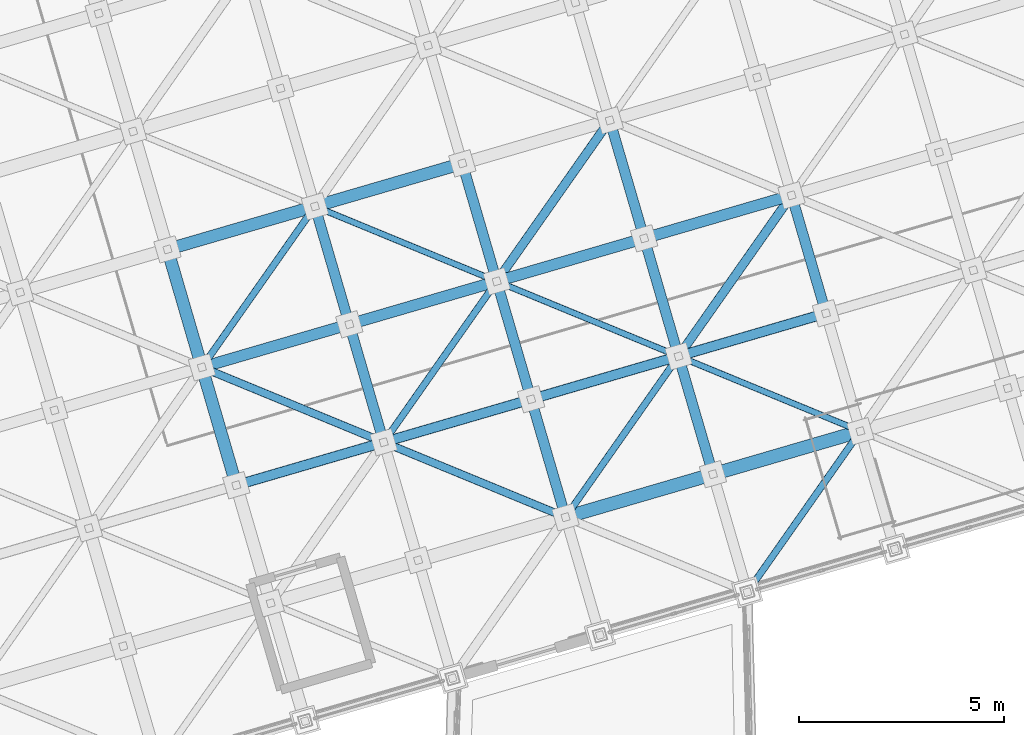
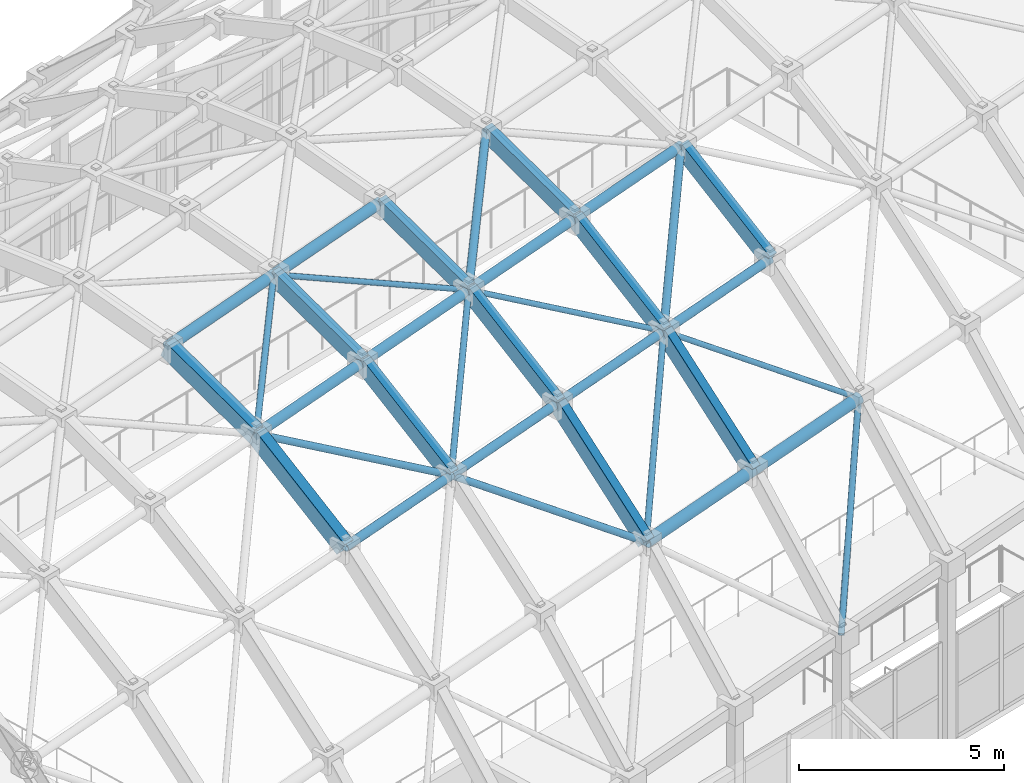
# One storey, part 46 of 248: 23 members, 11 beams.
"""IFC4 building model written with IfcOpenShell, lengths in metres."""

from ifc_helpers import new_model, si_unit, direction, frame, origin, origin_2d, place, context, subcontext, project, spatial, hollow_rectangle, hollow_circle, extrude, material, material_profile, profile_set, type_object, element, save


model = new_model("IFC4")

# Units and contexts
model_context = context("Model", 3, precision=1e-05, world=origin(), true_north=direction((0.0, 1.0)))
body_context = subcontext(model_context, "Body", "Model", "MODEL_VIEW")
ifc_project = project(units=[si_unit("LENGTHUNIT", "METRE"), si_unit("AREAUNIT", "SQUARE_METRE"), si_unit("VOLUMEUNIT", "CUBIC_METRE"), si_unit("PLANEANGLEUNIT", "RADIAN"), si_unit("MASSUNIT", "GRAM", prefix="KILO")], contexts=[model_context])

# Site, building, storey
site_placement = place(None, origin())
site = spatial("IfcSite", under=ifc_project, at=site_placement, CompositionType="ELEMENT")
building_placement = place(site_placement, origin())
building = spatial("IfcBuilding", under=site, at=building_placement, Name="Canggui Botanical Conservatory", CompositionType="ELEMENT")
storey_placement = place(building_placement, frame((0.0, 0.0, 5.39990234375)))
storey = spatial("IfcBuildingStorey", under=building, at=storey_placement, Name="L02", CompositionType="ELEMENT", Elevation=5.39990234375)

# Beams
ifc_material = material(Name="Steel Q355C", Category="steel")
ifc_material_profile_1 = material_profile(ifc_material, hollow_rectangle(XDim=0.300048828125, YDim=0.5, WallThickness=0.01611328125, at=origin_2d()), Name="RHS 300x500x16")
ifc_profile_set_1 = profile_set([ifc_material_profile_1], Name="Steel Q355C")
beam_type_1 = type_object("IfcBeamType", Name="BM-GJ01", PredefinedType="BEAM", material=ifc_profile_set_1)
beam_1_placement = place(storey_placement, frame((29.1201171875, 50.909912109375, 10.494140625), z_axis=(-0.23585528661, 0.808597737907, 0.539019463499), x_axis=(-0.959995442804, -0.2800156242, 0.0)))
element("IfcBeam", 1, at=beam_1_placement, inside=storey, type_object=beam_type_1, Name="Conservatory Stepped-Arch Rib GJ-04 Segment 3", PredefinedType="BEAM", context=body_context, shape_type="SweptSolid", body=[
    extrude(hollow_rectangle(XDim=0.300048828125, YDim=0.5, WallThickness=0.01611328125, at=origin_2d()), origin(), (0.0, 0.0, 1.0), 3.561767578125),
])
beam_2_placement = place(storey_placement, frame((28.280029296875, 53.7900390625, 12.4140625), z_axis=(-0.261421746348, 0.896172891578, 0.358514740196), x_axis=(-0.959989061447, -0.280037500885, 0.0)))
element("IfcBeam", 2, at=beam_2_placement, inside=storey, type_object=beam_type_1, Name="Conservatory Stepped-Arch Rib GJ-04 Segment 4", PredefinedType="BEAM", context=body_context, shape_type="SweptSolid", body=[
    extrude(hollow_rectangle(XDim=0.300048828125, YDim=0.5, WallThickness=0.01611328125, at=origin_2d()), origin(), (0.0, 0.0, 1.0), 3.213623046875),
])
ifc_material_profile_2 = material_profile(ifc_material, hollow_rectangle(XDim=0.25, YDim=0.449951171875, WallThickness=0.013916015625, at=origin_2d()), Name="RHS 250x450x14")
ifc_profile_set_2 = profile_set([ifc_material_profile_2], Name="Steel Q355C")
beam_type_2 = type_object("IfcBeamType", Name="BM-GJ02", PredefinedType="BEAM", material=ifc_profile_set_2)
beam_3_placement = place(storey_placement, frame((32.719970703125, 51.9599609375, 10.744140625), z_axis=(-0.23585528661, 0.808597737907, 0.539019463499), x_axis=(-0.959995442804, -0.2800156242, 0.0)))
element("IfcBeam", 3, at=beam_3_placement, inside=storey, type_object=beam_type_2, Name="Conservatory Stepped-Arch Rib GJ-05 Segment 3", PredefinedType="BEAM", context=body_context, shape_type="SweptSolid", body=[
    extrude(hollow_rectangle(XDim=0.25, YDim=0.449951171875, WallThickness=0.013916015625, at=origin_2d()), origin(), (0.0, 0.0, 1.0), 3.561767578125),
])
beam_4_placement = place(storey_placement, frame((31.8798828125, 54.840087890625, 12.6640625), z_axis=(-0.2613509637, 0.896190688314, 0.358521859796), x_axis=(-0.960010937337, -0.279962497833, 0.0)))
element("IfcBeam", 4, at=beam_4_placement, inside=storey, type_object=beam_type_2, Name="Conservatory Stepped-Arch Rib GJ-05 Segment 4", PredefinedType="BEAM", context=body_context, shape_type="SweptSolid", body=[
    extrude(hollow_rectangle(XDim=0.25, YDim=0.449951171875, WallThickness=0.013916015625, at=origin_2d()), origin(), (0.0, 0.0, 1.0), 3.21337890625),
])
beam_5_placement = place(storey_placement, frame((37.159912109375, 50.1298828125, 8.30615234375), z_axis=(-0.208495222194, 0.715005272157, 0.667305929173), x_axis=(-0.960017315421, -0.279940626011, 0.0)))
element("IfcBeam", 5, at=beam_5_placement, inside=storey, type_object=beam_type_2, Name="Conservatory Stepped-Arch Rib GJ-06 Segment 2", PredefinedType="BEAM", context=body_context, shape_type="SweptSolid", body=[
    extrude(hollow_rectangle(XDim=0.25, YDim=0.449951171875, WallThickness=0.013916015625, at=origin_2d()), origin(), (0.0, 0.0, 1.0), 4.028076171875),
])
beam_6_placement = place(storey_placement, frame((36.320068359375, 53.010009765625, 10.994140625), z_axis=(-0.235868359053, 0.808574008543, 0.539049339028), x_axis=(-0.959989061447, -0.280037500885, 0.0)))
element("IfcBeam", 6, at=beam_6_placement, inside=storey, type_object=beam_type_2, Name="Conservatory Stepped-Arch Rib GJ-06 Segment 3", PredefinedType="BEAM", context=body_context, shape_type="SweptSolid", body=[
    extrude(hollow_rectangle(XDim=0.25, YDim=0.449951171875, WallThickness=0.013916015625, at=origin_2d()), origin(), (0.0, 0.0, 1.0), 3.561767578125),
])
beam_7_placement = place(storey_placement, frame((35.47998046875, 55.889892578125, 12.9140625), z_axis=(-0.261403948618, 0.896187847093, 0.358490332324), x_axis=(-0.959995442804, -0.2800156242, 0.0)))
element("IfcBeam", 7, at=beam_7_placement, inside=storey, type_object=beam_type_2, Name="Conservatory Stepped-Arch Rib GJ-06 Segment 4", PredefinedType="BEAM", context=body_context, shape_type="SweptSolid", body=[
    extrude(hollow_rectangle(XDim=0.25, YDim=0.449951171875, WallThickness=0.013916015625, at=origin_2d()), origin(), (0.0, 0.0, 1.0), 3.2138671875),
])
beam_8_placement = place(storey_placement, frame((40.760009765625, 51.179931640625, 8.55615234375), z_axis=(-0.208553195479, 0.714996235706, 0.66729749556), x_axis=(-0.959995442804, -0.2800156242, 0.0)))
element("IfcBeam", 8, at=beam_8_placement, inside=storey, type_object=beam_type_2, Name="Conservatory Stepped-Arch Rib GJ-07 Segment 2", PredefinedType="BEAM", context=body_context, shape_type="SweptSolid", body=[
    extrude(hollow_rectangle(XDim=0.25, YDim=0.449951171875, WallThickness=0.013916015625, at=origin_2d()), origin(), (0.0, 0.0, 1.0), 4.028076171875),
])
beam_9_placement = place(storey_placement, frame((39.919921875, 54.06005859375, 11.244140625), z_axis=(-0.235803624532, 0.808587079936, 0.539058053291), x_axis=(-0.960010937337, -0.279962497833, 0.0)))
element("IfcBeam", 9, at=beam_9_placement, inside=storey, type_object=beam_type_2, Name="Conservatory Stepped-Arch Rib GJ-07 Segment 3", PredefinedType="BEAM", context=body_context, shape_type="SweptSolid", body=[
    extrude(hollow_rectangle(XDim=0.25, YDim=0.449951171875, WallThickness=0.013916015625, at=origin_2d()), origin(), (0.0, 0.0, 1.0), 3.5615234375),
])
beam_10_placement = place(storey_placement, frame((39.080078125, 56.93994140625, 13.1640625), z_axis=(-0.261403948618, 0.896187847093, 0.358490332324), x_axis=(-0.959995442804, -0.2800156242, 0.0)))
element("IfcBeam", 10, at=beam_10_placement, inside=storey, type_object=beam_type_2, Name="Conservatory Stepped-Arch Rib GJ-07 Segment 4", PredefinedType="BEAM", context=body_context, shape_type="SweptSolid", body=[
    extrude(hollow_rectangle(XDim=0.25, YDim=0.449951171875, WallThickness=0.013916015625, at=origin_2d()), origin(), (0.0, 0.0, 1.0), 3.2138671875),
])
beam_11_placement = place(storey_placement, frame((43.52001953125, 55.110107421875, 11.494140625), z_axis=(-0.235868359053, 0.808574008543, 0.539049339028), x_axis=(-0.959989061447, -0.280037500885, 0.0)))
element("IfcBeam", 11, at=beam_11_placement, inside=storey, type_object=beam_type_2, Name="Conservatory Stepped-Arch Rib GJ-08 Segment 3", PredefinedType="BEAM", context=body_context, shape_type="SweptSolid", body=[
    extrude(hollow_rectangle(XDim=0.25, YDim=0.449951171875, WallThickness=0.013916015625, at=origin_2d()), origin(), (0.0, 0.0, 1.0), 3.561767578125),
])

# Members
ifc_material_profile_3 = material_profile(ifc_material, hollow_circle(Radius=0.16259765625, WallThickness=0.011962890625, at=origin_2d()), Name="CHS 325x12")
ifc_profile_set_3 = profile_set([ifc_material_profile_3], Name="Steel Q355C")
member_type_1 = type_object("IfcMemberType", Name="MEM-GSC01", PredefinedType="CHORD", material=ifc_profile_set_3)
for number, where, z_axis, x_axis, name in (
    (12, (37.159912109375, 50.1298828125, 8.30615234375), (0.957872417874, 0.27938486839, 0.066517113516), (-0.280004999853, 0.959998541695, 0.0), "Conservatory Gridshell Longitudinal Chord 6-1"),
    (13, (40.760009765625, 51.179931640625, 8.55615234375), (0.957872417874, 0.27938486839, 0.066517113516), (-0.280004999853, 0.959998541695, 0.0), "Conservatory Gridshell Longitudinal Chord 7-1"),
):
    element("IfcMember", number, at=place(storey_placement, frame(where, z_axis=z_axis, x_axis=x_axis)), inside=storey, type_object=member_type_1, Name=name, PredefinedType="CHORD", context=body_context, shape_type="SweptSolid", body=[
        extrude(hollow_circle(Radius=0.16259765625, WallThickness=0.011962890625, at=origin_2d()), origin(), (0.0, 0.0, 1.0), 3.758544921875),
    ])
ifc_material_profile_4 = material_profile(ifc_material, hollow_circle(Radius=0.1494140625, WallThickness=0.011962890625, at=origin_2d()), Name="CHS 299x12")
ifc_profile_set_4 = profile_set([ifc_material_profile_4], Name="Steel Q355C")
member_type_2 = type_object("IfcMemberType", Name="MEM-GSC02", PredefinedType="CHORD", material=ifc_profile_set_4)
member_1_placement = place(storey_placement, frame((27.43994140625, 56.669921875, 13.566162109375), z_axis=(0.957872417874, 0.27938486839, 0.066517113516), x_axis=(-0.280004999853, 0.959998541695, 0.0)))
element("IfcMember", 14, at=member_1_placement, inside=storey, type_object=member_type_2, Name="Conservatory Gridshell Longitudinal Chord 4-4", PredefinedType="CHORD", context=body_context, shape_type="SweptSolid", body=[
    extrude(hollow_circle(Radius=0.1494140625, WallThickness=0.011962890625, at=origin_2d()), origin(), (0.0, 0.0, 1.0), 3.758544921875),
])
member_2_placement = place(storey_placement, frame((31.0400390625, 57.719970703125, 13.816162109375), z_axis=(0.957867059601, 0.279402253194, 0.066521252562), x_axis=(-0.280022500685, 0.959993437014, 0.0)))
element("IfcMember", 15, at=member_2_placement, inside=storey, type_object=member_type_2, Name="Conservatory Gridshell Longitudinal Chord 5-4", PredefinedType="CHORD", context=body_context, shape_type="SweptSolid", body=[
    extrude(hollow_circle(Radius=0.1494140625, WallThickness=0.011962890625, at=origin_2d()), origin(), (0.0, 0.0, 1.0), 3.75830078125),
])
ifc_material_profile_5 = material_profile(ifc_material, hollow_circle(Radius=0.136474609375, WallThickness=0.010009765625, at=origin_2d()), Name="CHS 273x10")
ifc_profile_set_5 = profile_set([ifc_material_profile_5], Name="Steel Q355C")
member_type_3 = type_object("IfcMemberType", Name="MEM-GSC03", PredefinedType="CHORD", material=ifc_profile_set_5)
for number, where, z_axis, x_axis, name in (
    (16, (28.280029296875, 53.7900390625, 12.4140625), (0.957867059601, 0.279402253194, 0.066521252562), (-0.280022500685, 0.959993437014, 0.0), "Conservatory Gridshell Longitudinal Chord 4-3"),
    (17, (31.8798828125, 54.840087890625, 12.6640625), (0.957889800097, 0.279324979006, 0.066518320582), (-0.279945000113, 0.960016039924, 0.0), "Conservatory Gridshell Longitudinal Chord 5-3"),
):
    element("IfcMember", number, at=place(storey_placement, frame(where, z_axis=z_axis, x_axis=x_axis)), inside=storey, type_object=member_type_3, Name=name, PredefinedType="CHORD", context=body_context, shape_type="SweptSolid", body=[
        extrude(hollow_circle(Radius=0.136474609375, WallThickness=0.010009765625, at=origin_2d()), origin(), (0.0, 0.0, 1.0), 3.75830078125),
    ])
member_3_placement = place(storey_placement, frame((35.47998046875, 55.889892578125, 12.9140625), z_axis=(0.957872417874, 0.27938486839, 0.066517113516), x_axis=(-0.280004999853, 0.959998541695, 0.0)))
element("IfcMember", 18, at=member_3_placement, inside=storey, type_object=member_type_3, Name="Conservatory Gridshell Longitudinal Chord 6-3", PredefinedType="CHORD", context=body_context, shape_type="SweptSolid", body=[
    extrude(hollow_circle(Radius=0.136474609375, WallThickness=0.010009765625, at=origin_2d()), origin(), (0.0, 0.0, 1.0), 3.758544921875),
])
member_4_placement = place(storey_placement, frame((39.080078125, 56.93994140625, 13.1640625), z_axis=(0.957867059601, 0.279402253194, 0.066521252562), x_axis=(-0.280022500685, 0.959993437014, 0.0)))
element("IfcMember", 19, at=member_4_placement, inside=storey, type_object=member_type_3, Name="Conservatory Gridshell Longitudinal Chord 7-3", PredefinedType="CHORD", context=body_context, shape_type="SweptSolid", body=[
    extrude(hollow_circle(Radius=0.136474609375, WallThickness=0.010009765625, at=origin_2d()), origin(), (0.0, 0.0, 1.0), 3.75830078125),
])
ifc_material_profile_6 = material_profile(ifc_material, hollow_circle(Radius=0.12255859375, WallThickness=0.010009765625, at=origin_2d()), Name="CHS 245x10")
ifc_profile_set_6 = profile_set([ifc_material_profile_6], Name="Steel Q355C")
member_type_4 = type_object("IfcMemberType", Name="MEM-GSC04", PredefinedType="CHORD", material=ifc_profile_set_6)
member_5_placement = place(storey_placement, frame((29.1201171875, 50.909912109375, 10.494140625), z_axis=(0.957867059601, 0.279402253194, 0.066521252562), x_axis=(-0.280022500685, 0.959993437014, 0.0)))
element("IfcMember", 20, at=member_5_placement, inside=storey, type_object=member_type_4, Name="Conservatory Gridshell Longitudinal Chord 4-2", PredefinedType="CHORD", context=body_context, shape_type="SweptSolid", body=[
    extrude(hollow_circle(Radius=0.12255859375, WallThickness=0.010009765625, at=origin_2d()), origin(), (0.0, 0.0, 1.0), 3.75830078125),
])
member_6_placement = place(storey_placement, frame((32.719970703125, 51.9599609375, 10.744140625), z_axis=(0.957872417874, 0.27938486839, 0.066517113516), x_axis=(-0.280004999853, 0.959998541695, 0.0)))
element("IfcMember", 21, at=member_6_placement, inside=storey, type_object=member_type_4, Name="Conservatory Gridshell Longitudinal Chord 5-2", PredefinedType="CHORD", context=body_context, shape_type="SweptSolid", body=[
    extrude(hollow_circle(Radius=0.12255859375, WallThickness=0.010009765625, at=origin_2d()), origin(), (0.0, 0.0, 1.0), 3.758544921875),
])
member_7_placement = place(storey_placement, frame((36.320068359375, 53.010009765625, 10.994140625), z_axis=(0.957867059601, 0.279402253194, 0.066521252562), x_axis=(-0.280022500685, 0.959993437014, 0.0)))
element("IfcMember", 22, at=member_7_placement, inside=storey, type_object=member_type_4, Name="Conservatory Gridshell Longitudinal Chord 6-2", PredefinedType="CHORD", context=body_context, shape_type="SweptSolid", body=[
    extrude(hollow_circle(Radius=0.12255859375, WallThickness=0.010009765625, at=origin_2d()), origin(), (0.0, 0.0, 1.0), 3.75830078125),
])
member_8_placement = place(storey_placement, frame((39.919921875, 54.06005859375, 11.244140625), z_axis=(0.957872417874, 0.27938486839, 0.066517113516), x_axis=(-0.280004999853, 0.959998541695, 0.0)))
element("IfcMember", 23, at=member_8_placement, inside=storey, type_object=member_type_4, Name="Conservatory Gridshell Longitudinal Chord 7-2", PredefinedType="CHORD", context=body_context, shape_type="SweptSolid", body=[
    extrude(hollow_circle(Radius=0.12255859375, WallThickness=0.010009765625, at=origin_2d()), origin(), (0.0, 0.0, 1.0), 3.758544921875),
])
ifc_material_profile_7 = material_profile(ifc_material, hollow_circle(Radius=0.109619140625, WallThickness=0.008056640625, at=origin_2d()), Name="CHS 219x8")
ifc_profile_set_7 = profile_set([ifc_material_profile_7], Name="Steel Q355C")
member_type_5 = type_object("IfcMemberType", Name="MEM-GSD01", PredefinedType="RAFTER", material=ifc_profile_set_7)
member_9_placement = place(storey_placement, frame((35.47998046875, 55.889892578125, 12.9140625), z_axis=(0.551673045588, 0.785566801227, 0.2802528351), x_axis=(-0.818361645525, 0.574703590674, 0.0)))
element("IfcMember", 24, at=member_9_placement, inside=storey, type_object=member_type_5, Name="Conservatory Gridshell Diagrid Rafter 6-4", PredefinedType="RAFTER", context=body_context, shape_type="SweptSolid", body=[
    extrude(hollow_circle(Radius=0.109619140625, WallThickness=0.008056640625, at=origin_2d()), origin(), (0.0, 0.0, 1.0), 5.0029296875),
])
member_10_placement = place(storey_placement, frame((39.919921875, 54.06005859375, 11.244140625), z_axis=(0.52374291705, 0.74574876035, 0.411767098341), x_axis=(-0.818344854073, 0.574727500484, 0.0)))
element("IfcMember", 25, at=member_10_placement, inside=storey, type_object=member_type_5, Name="Conservatory Gridshell Diagrid Rafter 7-3", PredefinedType="RAFTER", context=body_context, shape_type="SweptSolid", body=[
    extrude(hollow_circle(Radius=0.109619140625, WallThickness=0.008056640625, at=origin_2d()), origin(), (0.0, 0.0, 1.0), 5.269775390625),
])
ifc_material_profile_8 = material_profile(ifc_material, hollow_circle(Radius=0.096923828125, WallThickness=0.008056640625, at=origin_2d()), Name="CHS 194x8")
ifc_profile_set_8 = profile_set([ifc_material_profile_8], Name="Steel Q355C")
member_type_6 = type_object("IfcMemberType", Name="MEM-GSD02", PredefinedType="RAFTER", material=ifc_profile_set_8)
member_11_placement = place(storey_placement, frame((28.280029296875, 53.7900390625, 12.4140625), z_axis=(0.873251550542, -0.359941362744, -0.328441691725), x_axis=(0.381082183428, 0.924541166998, 0.0)))
element("IfcMember", 26, at=member_11_placement, inside=storey, type_object=member_type_6, Name="Conservatory Gridshell Diagrid Rafter 4-3", PredefinedType="RAFTER", context=body_context, shape_type="SweptSolid", body=[
    extrude(hollow_circle(Radius=0.096923828125, WallThickness=0.008056640625, at=origin_2d()), origin(), (0.0, 0.0, 1.0), 5.08447265625),
])
member_12_placement = place(storey_placement, frame((32.719970703125, 51.9599609375, 10.744140625), z_axis=(0.824390397512, -0.339801518737, -0.452675822586), x_axis=(0.381082183428, 0.924541166998, 0.0)))
element("IfcMember", 27, at=member_12_placement, inside=storey, type_object=member_type_6, Name="Conservatory Gridshell Diagrid Rafter 5-2", PredefinedType="RAFTER", context=body_context, shape_type="SweptSolid", body=[
    extrude(hollow_circle(Radius=0.096923828125, WallThickness=0.008056640625, at=origin_2d()), origin(), (0.0, 0.0, 1.0), 5.3857421875),
])
ifc_material_profile_9 = material_profile(ifc_material, hollow_circle(Radius=0.083984375, WallThickness=0.008056640625, at=origin_2d()), Name="CHS 168x8")
ifc_profile_set_9 = profile_set([ifc_material_profile_9], Name="Steel Q355C")
member_type_7 = type_object("IfcMemberType", Name="MEM-GSD03", PredefinedType="RAFTER", material=ifc_profile_set_9)
member_13_placement = place(storey_placement, frame((28.280029296875, 53.7900390625, 12.4140625), z_axis=(0.551694194477, 0.785548115745, 0.280263578849), x_axis=(-0.818344854073, 0.574727500484, 0.0)))
element("IfcMember", 28, at=member_13_placement, inside=storey, type_object=member_type_7, Name="Conservatory Gridshell Diagrid Rafter 4-4", PredefinedType="RAFTER", context=body_context, shape_type="SweptSolid", body=[
    extrude(hollow_circle(Radius=0.083984375, WallThickness=0.008056640625, at=origin_2d()), origin(), (0.0, 0.0, 1.0), 5.002685546875),
])
member_14_placement = place(storey_placement, frame((32.719970703125, 51.9599609375, 10.744140625), z_axis=(0.52374291705, 0.74574876035, 0.411767098341), x_axis=(-0.818344854073, 0.574727500484, 0.0)))
element("IfcMember", 29, at=member_14_placement, inside=storey, type_object=member_type_7, Name="Conservatory Gridshell Diagrid Rafter 5-3", PredefinedType="RAFTER", context=body_context, shape_type="SweptSolid", body=[
    extrude(hollow_circle(Radius=0.083984375, WallThickness=0.008056640625, at=origin_2d()), origin(), (0.0, 0.0, 1.0), 5.269775390625),
])
member_15_placement = place(storey_placement, frame((37.159912109375, 50.1298828125, 8.30615234375), z_axis=(0.49024183756, 0.69809049987, 0.521854955612), x_axis=(-0.818361645525, 0.574703590674, 0.0)))
element("IfcMember", 30, at=member_15_placement, inside=storey, type_object=member_type_7, Name="Conservatory Gridshell Diagrid Rafter 6-2", PredefinedType="RAFTER", context=body_context, shape_type="SweptSolid", body=[
    extrude(hollow_circle(Radius=0.083984375, WallThickness=0.008056640625, at=origin_2d()), origin(), (0.0, 0.0, 1.0), 5.6298828125),
])
member_16_placement = place(storey_placement, frame((41.60009765625, 48.300048828125, 5.10009765625), z_axis=(0.454993560937, 0.647857704592, 0.61095110615), x_axis=(-0.818344854073, 0.574727500484, 0.0)))
element("IfcMember", 31, at=member_16_placement, inside=storey, type_object=member_type_7, Name="Conservatory Gridshell Diagrid Rafter 7-1", PredefinedType="RAFTER", context=body_context, shape_type="SweptSolid", body=[
    extrude(hollow_circle(Radius=0.083984375, WallThickness=0.008056640625, at=origin_2d()), origin(), (0.0, 0.0, 1.0), 6.066162109375),
])
ifc_material_profile_10 = material_profile(ifc_material, hollow_circle(Radius=0.075927734375, WallThickness=0.006103515625, at=origin_2d()), Name="CHS 152x6")
ifc_profile_set_10 = profile_set([ifc_material_profile_10], Name="Steel Q355C")
member_type_8 = type_object("IfcMemberType", Name="MEM-GSD04", PredefinedType="RAFTER", material=ifc_profile_set_10)
member_17_placement = place(storey_placement, frame((31.0400390625, 57.719970703125, 13.816162109375), z_axis=(0.90864869029, -0.374531539779, -0.184617668021), x_axis=(0.381082183428, 0.924541166998, 0.0)))
element("IfcMember", 32, at=member_17_placement, inside=storey, type_object=member_type_8, Name="Conservatory Gridshell Diagrid Rafter 5-4", PredefinedType="RAFTER", context=body_context, shape_type="SweptSolid", body=[
    extrude(hollow_circle(Radius=0.075927734375, WallThickness=0.006103515625, at=origin_2d()), origin(), (0.0, 0.0, 1.0), 4.88623046875),
])
member_18_placement = place(storey_placement, frame((35.47998046875, 55.889892578125, 12.9140625), z_axis=(0.873266642847, -0.359899564948, -0.328447368144), x_axis=(0.381038726983, 0.924559077907, 0.0)))
element("IfcMember", 33, at=member_18_placement, inside=storey, type_object=member_type_8, Name="Conservatory Gridshell Diagrid Rafter 6-3", PredefinedType="RAFTER", context=body_context, shape_type="SweptSolid", body=[
    extrude(hollow_circle(Radius=0.075927734375, WallThickness=0.006103515625, at=origin_2d()), origin(), (0.0, 0.0, 1.0), 5.084228515625),
])
member_19_placement = place(storey_placement, frame((39.919921875, 54.06005859375, 11.244140625), z_axis=(0.82440491988, -0.339788820554, -0.452658906357), x_axis=(0.381064272615, 0.924548549367, 0.0)))
element("IfcMember", 34, at=member_19_placement, inside=storey, type_object=member_type_8, Name="Conservatory Gridshell Diagrid Rafter 7-2", PredefinedType="RAFTER", context=body_context, shape_type="SweptSolid", body=[
    extrude(hollow_circle(Radius=0.075927734375, WallThickness=0.006103515625, at=origin_2d()), origin(), (0.0, 0.0, 1.0), 5.385986328125),
])

save(model, "model.ifc")
